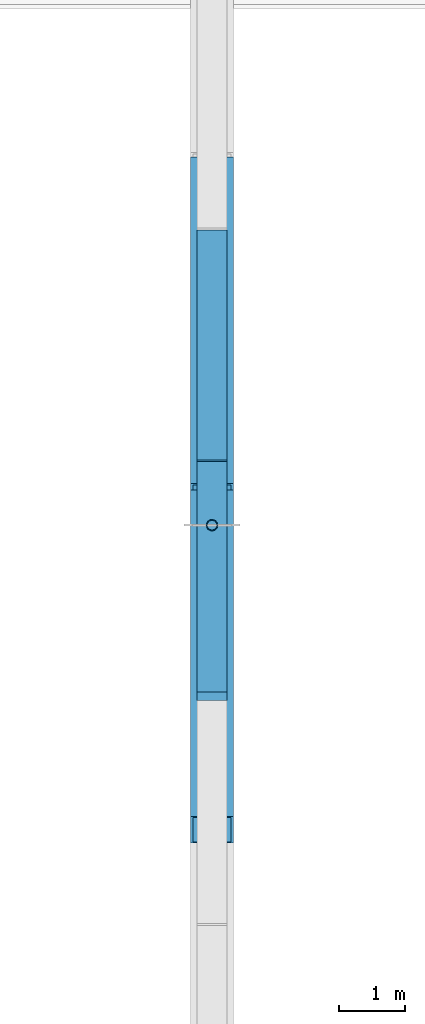
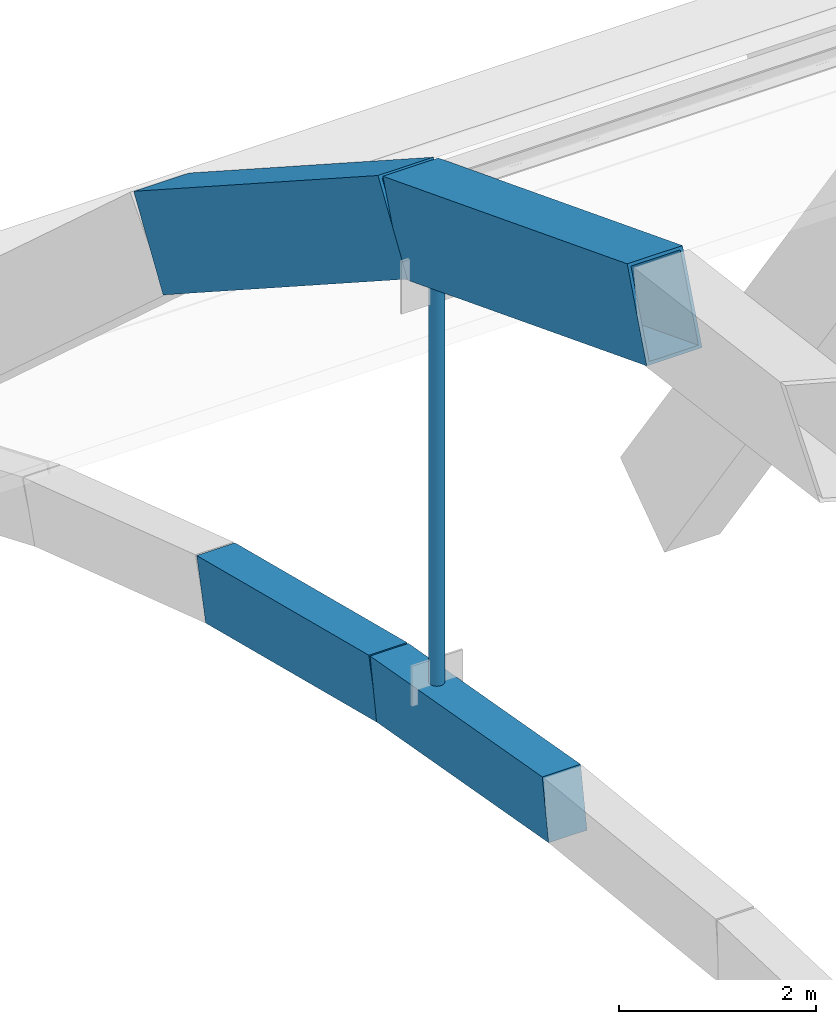
# One storey, part 12 of 64: 3 members, 2 beams.
"""IFC4 building model written with IfcOpenShell, lengths in metres."""

from ifc_helpers import new_model, si_unit, direction, frame, origin, origin_2d, place, context, subcontext, project, spatial, rectangle, hollow_rectangle, hollow_circle, extrude, material, material_profile, profile_set, type_object, element, save


model = new_model("IFC4")

# Units and contexts
model_context = context("Model", 3, precision=1e-05, world=origin(), true_north=direction((0.0, 1.0)))
body_context = subcontext(model_context, "Body", "Model", "MODEL_VIEW")
ifc_project = project(units=[si_unit("LENGTHUNIT", "METRE"), si_unit("AREAUNIT", "SQUARE_METRE"), si_unit("VOLUMEUNIT", "CUBIC_METRE"), si_unit("PLANEANGLEUNIT", "RADIAN"), si_unit("MASSUNIT", "GRAM", prefix="KILO")], contexts=[model_context])

# Site, building, storey
site_placement = place(None, origin())
site = spatial("IfcSite", under=ifc_project, at=site_placement, CompositionType="ELEMENT")
building_placement = place(site_placement, origin())
building = spatial("IfcBuilding", under=site, at=building_placement, Name="Leyfeld Transit Interchange", CompositionType="ELEMENT")
storey_placement = place(building_placement, frame((0.0, 0.0, 9.60009765625)))
storey = spatial("IfcBuildingStorey", under=building, at=storey_placement, Name="L02", CompositionType="ELEMENT", Elevation=9.60009765625)

# Beams
ifc_material_1 = material(Name="Concrete C40/50", Category="concrete")
ifc_material_profile_1 = material_profile(ifc_material_1, rectangle(XDim=0.449951171875, YDim=0.75, at=origin_2d()), Name="RC 750x450 RIB")
ifc_profile_set_1 = profile_set([ifc_material_profile_1], Name="Concrete C40/50")
beam_type = type_object("IfcBeamType", Name="BM-RIB-750x450", PredefinedType="USERDEFINED", material=ifc_profile_set_1)
beam_1_placement = place(storey_placement, frame((14.39990234375, 39.39990234375, 6.94775390625), z_axis=(0.0, 0.984546197367, -0.175125056033), x_axis=(-1.0, 0.0, 0.0)))
element("IfcBeam", 1, at=beam_1_placement, inside=storey, type_object=beam_type, Name="Concourse Vault Rib A2 Seg 11", ObjectType="ARCH_RIB", PredefinedType="USERDEFINED", context=body_context, shape_type="SweptSolid", body=[
    extrude(rectangle(XDim=0.449951171875, YDim=0.75, at=origin_2d()), origin(), (0.0, 0.0, 1.0), 3.554931640625),
])
beam_2_placement = place(storey_placement, frame((14.39990234375, 42.89990234375, 6.3251953125), z_axis=(0.0, 0.969486598247, -0.245144316312), x_axis=(-1.0, 0.0, 0.0)))
element("IfcBeam", 2, at=beam_2_placement, inside=storey, type_object=beam_type, Name="Concourse Vault Rib A2 Seg 12", ObjectType="ARCH_RIB", PredefinedType="USERDEFINED", context=body_context, shape_type="SweptSolid", body=[
    extrude(rectangle(XDim=0.449951171875, YDim=0.75, at=origin_2d()), origin(), (0.0, 0.0, 1.0), 3.610107421875),
])

# Members
ifc_material_2 = material(Name="Steel S355J2 - Ochre Arch", Category="steel")
ifc_material_profile_2 = material_profile(ifc_material_2, hollow_rectangle(XDim=0.64990234375, YDim=1.10009765625, WallThickness=0.035888671875, at=origin_2d()), Name="RHS 1100x650x36")
ifc_profile_set_2 = profile_set([ifc_material_profile_2], Name="Steel S355J2 - Ochre Arch")
member_type_1 = type_object("IfcMemberType", Name="MEM-ARCH-1100", PredefinedType="USERDEFINED", material=ifc_profile_set_2)
member_1_placement = place(storey_placement, frame((14.39990234375, 37.36669921875, 14.358154296875), z_axis=(0.0, 0.932424670612, -0.361364405599), x_axis=(-1.0, 0.0, 0.0)))
element("IfcMember", 3, at=member_1_placement, inside=storey, type_object=member_type_1, Name="Primary Steel Arch AR-01 Seg 8", ObjectType="ARCH_SEGMENT", PredefinedType="USERDEFINED", context=body_context, shape_type="SweptSolid", body=[
    extrude(hollow_rectangle(XDim=0.64990234375, YDim=1.10009765625, WallThickness=0.035888671875, at=origin_2d()), origin(), (0.0, 0.0, 1.0), 5.326416015625),
])
member_2_placement = place(storey_placement, frame((14.39990234375, 42.333251953125, 12.433349609375), z_axis=(0.0, 0.839979785282, -0.542617692596), x_axis=(-1.0, 0.0, 0.0)))
element("IfcMember", 4, at=member_2_placement, inside=storey, type_object=member_type_1, Name="Primary Steel Arch AR-01 Seg 9", ObjectType="ARCH_SEGMENT", PredefinedType="USERDEFINED", context=body_context, shape_type="SweptSolid", body=[
    extrude(hollow_rectangle(XDim=0.64990234375, YDim=1.10009765625, WallThickness=0.035888671875, at=origin_2d()), origin(), (0.0, 0.0, 1.0), 5.9130859375),
])
ifc_material_3 = material(Name="Steel S355J2", Category="steel")
ifc_material_profile_3 = material_profile(ifc_material_3, hollow_circle(Radius=0.084228515625, WallThickness=0.008056640625, at=origin_2d()), Name="CHS 168.3x8")
ifc_profile_set_3 = profile_set([ifc_material_profile_3], Name="Steel S355J2")
member_type_2 = type_object("IfcMemberType", Name="MEM-HGR-168", PredefinedType="USERDEFINED", material=ifc_profile_set_3)
member_3_placement = place(storey_placement, frame((14.39990234375, 42.0, 6.885009765625), z_axis=(0.0, 0.0, 1.0), x_axis=(1.0, 0.0, 0.0)))
element("IfcMember", 5, at=member_3_placement, inside=storey, type_object=member_type_2, Name="Arch Tension Hanger AR-01 H5", ObjectType="SUSPENDER", PredefinedType="USERDEFINED", context=body_context, shape_type="SweptSolid", body=[
    extrude(hollow_circle(Radius=0.084228515625, WallThickness=0.008056640625, at=origin_2d()), origin(), (0.0, 0.0, 1.0), 5.087646484375),
])

save(model, "model.ifc")
